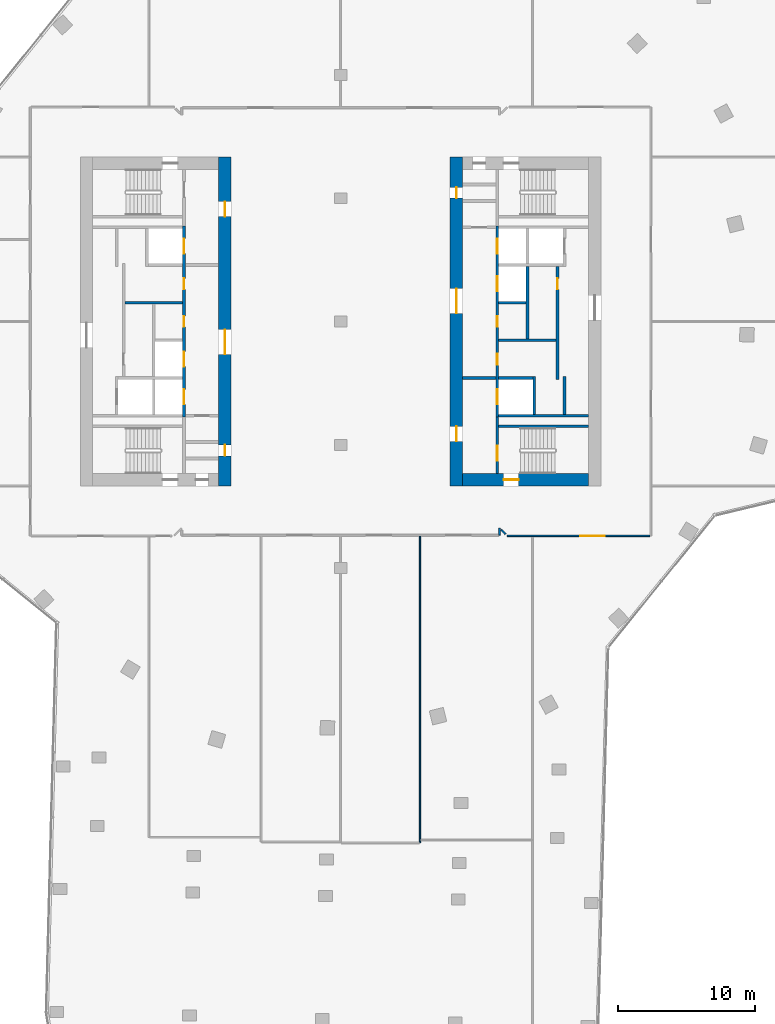
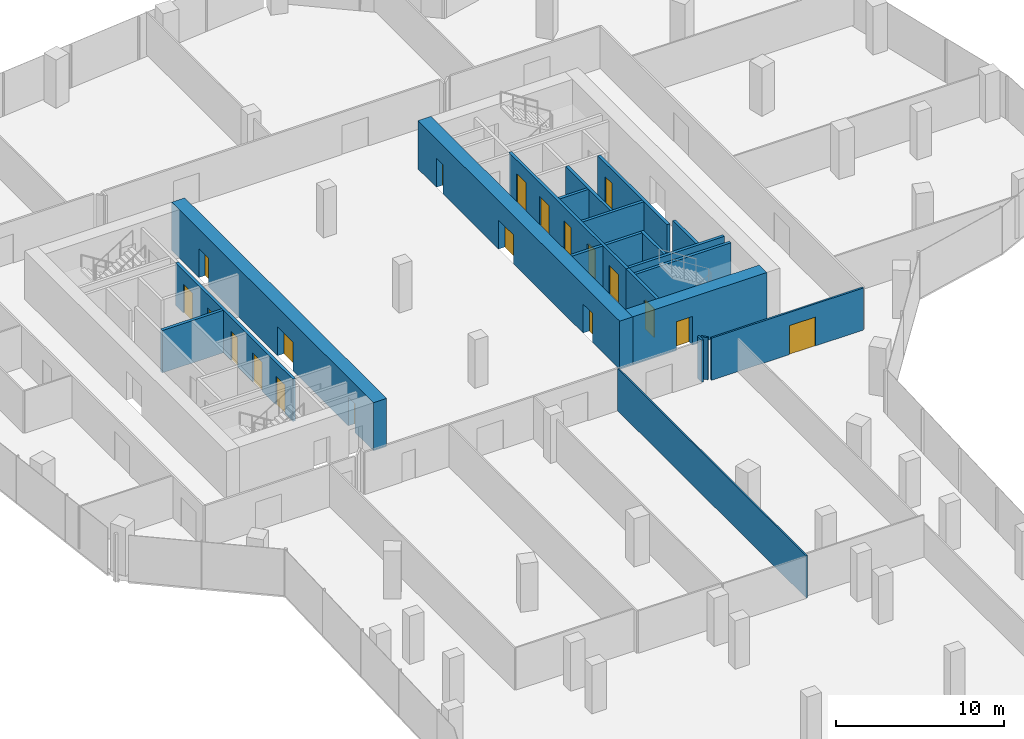
# One storey, part 21 of 26: 21 walls, 20 doors, 20 openings.
"""IFC4 building model written with IfcOpenShell, lengths in metres."""

from ifc_helpers import new_model, si_unit, direction, frame, frame_2d, origin, place, context, subcontext, project, spatial, rectangle, extrude, material, layer, layer_set, type_object, element, fill, save


model = new_model("IFC4")

# Units and contexts
model_context = context("Model", 3, precision=1e-05, world=origin(), true_north=direction((0.0, 1.0)))
body_context = subcontext(model_context, "Body", "Model", "MODEL_VIEW")
ifc_project = project(units=[si_unit("LENGTHUNIT", "METRE"), si_unit("AREAUNIT", "SQUARE_METRE"), si_unit("VOLUMEUNIT", "CUBIC_METRE"), si_unit("PLANEANGLEUNIT", "RADIAN"), si_unit("MASSUNIT", "GRAM", prefix="KILO")], contexts=[model_context])

# Site, building, storey
site_placement = place(None, origin())
site = spatial("IfcSite", under=ifc_project, at=site_placement, CompositionType="ELEMENT")
building_placement = place(site_placement, origin())
building = spatial("IfcBuilding", under=site, at=building_placement, Name="Orlundy Tower", CompositionType="ELEMENT")
storey_placement = place(building_placement, frame((0.0, 0.0, 214.0)))
storey = spatial("IfcBuildingStorey", under=building, at=storey_placement, Name="L56", CompositionType="ELEMENT", Elevation=214.0)

# Wall, openings, doors
ifc_material_1 = material(Name="Concrete C60/75", Category="concrete")
ifc_layer_1 = layer(ifc_material_1, 0.89990234375)
ifc_layer_set_1 = layer_set([ifc_layer_1], Name="CORE WALL 900 C60/75")
wall_type_1 = type_object("IfcWallType", Name="CORE WALL 900 C60/75", PredefinedType="SHEAR", material=ifc_layer_set_1)
wall_1_placement = place(storey_placement, frame((-8.449951171875, -12.0, 0.0), z_axis=(0.0, 0.0, 1.0), x_axis=(0.0, 1.0, 0.0)))
wall_1 = element("IfcWall", 1, at=wall_1_placement, inside=storey, type_object=wall_type_1, Name="Core wall W-E L56", PredefinedType="SHEAR", context=body_context, shape_type="SweptSolid", body=[
    extrude(rectangle(XDim=24.0, YDim=0.89990234375, at=frame_2d((12.0, 0.0))), origin(), (0.0, 0.0, 1.0), 3.5),
])
opening_1_placement = place(wall_1_placement, frame((9.60009765625, 0.0, 0.0)))
opening_1 = element("IfcOpeningElement", 2, at=opening_1_placement, cuts=wall_1, Name="Opening 43008", PredefinedType="OPENING", context=body_context, shape_type="SweptSolid", body=[
    extrude(rectangle(XDim=1.800048828125, YDim=2.10009765625, at=frame_2d((0.89990234375, 1.050048828125))), frame((0.0, 0.4599609375, 0.0), z_axis=(0.0, -1.0, 0.0), x_axis=(1.0, 0.0, 0.0)), (0.0, 0.0, 1.0), 0.919921875),
])
opening_2_placement = place(wall_1_placement, frame((19.64990234375, 0.0, 0.0)))
opening_2 = element("IfcOpeningElement", 3, at=opening_2_placement, cuts=wall_1, Name="Opening 43010", PredefinedType="OPENING", context=body_context, shape_type="SweptSolid", body=[
    extrude(rectangle(XDim=1.10009765625, YDim=2.10009765625, at=frame_2d((0.550048828125, 1.050048828125))), frame((0.0, 0.4599609375, 0.0), z_axis=(0.0, -1.0, 0.0), x_axis=(1.0, 0.0, 0.0)), (0.0, 0.0, 1.0), 0.919921875),
])
opening_3_placement = place(wall_1_placement, frame((2.199951171875, 0.0, 0.0)))
opening_3 = element("IfcOpeningElement", 4, at=opening_3_placement, cuts=wall_1, Name="Opening 43015", PredefinedType="OPENING", context=body_context, shape_type="SweptSolid", body=[
    extrude(rectangle(XDim=0.800048828125, YDim=2.10009765625, at=frame_2d((0.39990234375, 1.050048828125))), frame((0.0, 0.4599609375, 0.0), z_axis=(0.0, -1.0, 0.0), x_axis=(1.0, 0.0, 0.0)), (0.0, 0.0, 1.0), 0.919921875),
])
ifc_material_2 = material(Name="Steel door set", Category="steel")
door_type_1 = type_object("IfcDoorType", Name="Fire-fighting Lobby Door 1100x2100", OperationType="SINGLE_SWING_LEFT", PredefinedType="DOOR", material=ifc_material_2)
door_1_placement = place(opening_2_placement, origin())
door_1 = element("IfcDoor", 5, at=door_1_placement, inside=storey, type_object=door_type_1, Name="Fire-fighting lobby door 43010", OperationType="SINGLE_SWING_RIGHT", OverallHeight=2.10009765625, OverallWidth=1.10009765625, PredefinedType="DOOR", context=body_context, shape_type="SweptSolid", body=[
    extrude(rectangle(XDim=1.10009765625, YDim=2.10009765625, at=frame_2d((0.550048828125, 1.050048828125))), frame((0.0, 0.02490234375, 0.0), z_axis=(0.0, -1.0, 0.0), x_axis=(1.0, 0.0, 0.0)), (0.0, 0.0, 1.0), 0.050048828125),
])
fill(opening_2, door_1)
ifc_material_3 = material(Name="Timber door set", Category="wood")
door_type_2 = type_object("IfcDoorType", Name="Lobby Door 1800x2100", OperationType="DOUBLE_DOOR_DOUBLE_SWING", PredefinedType="DOOR", material=ifc_material_3)
door_2_placement = place(opening_1_placement, origin())
door_2 = element("IfcDoor", 6, at=door_2_placement, inside=storey, type_object=door_type_2, Name="Lift lobby door 43008", OperationType="SINGLE_SWING_LEFT", OverallHeight=2.10009765625, OverallWidth=1.800048828125, PredefinedType="DOOR", context=body_context, shape_type="SweptSolid", body=[
    extrude(rectangle(XDim=1.800048828125, YDim=2.10009765625, at=frame_2d((0.89990234375, 1.050048828125))), frame((0.0, 0.02490234375, 0.0), z_axis=(0.0, -1.0, 0.0), x_axis=(1.0, 0.0, 0.0)), (0.0, 0.0, 1.0), 0.050048828125),
])
fill(opening_1, door_2)
ifc_material_4 = material(Name="Timber door set", Category="wood")
door_type_3 = type_object("IfcDoorType", Name="Riser Door 800x2100", OperationType="SINGLE_SWING_LEFT", PredefinedType="DOOR", material=ifc_material_4)
door_3_placement = place(opening_3_placement, origin())
door_3 = element("IfcDoor", 7, at=door_3_placement, inside=storey, type_object=door_type_3, Name="Door 43015", OperationType="SINGLE_SWING_LEFT", OverallHeight=2.10009765625, OverallWidth=0.800048828125, PredefinedType="DOOR", context=body_context, shape_type="SweptSolid", body=[
    extrude(rectangle(XDim=0.800048828125, YDim=2.10009765625, at=frame_2d((0.39990234375, 1.050048828125))), frame((0.0, 0.02490234375, 0.0), z_axis=(0.0, -1.0, 0.0), x_axis=(1.0, 0.0, 0.0)), (0.0, 0.0, 1.0), 0.050048828125),
])
fill(opening_3, door_3)

# Wall, opening, door
wall_2_placement = place(storey_placement, frame((8.89990234375, -11.550048828125, 0.0), z_axis=(0.0, 0.0, 1.0), x_axis=(1.0, 0.0, 0.0)))
wall_2 = element("IfcWall", 8, at=wall_2_placement, inside=storey, type_object=wall_type_1, Name="Core wall E-S L56", PredefinedType="SHEAR", context=body_context, shape_type="SweptSolid", body=[
    extrude(rectangle(XDim=9.2001953125, YDim=0.89990234375, at=frame_2d((4.60009765625, 0.0))), origin(), (0.0, 0.0, 1.0), 3.5),
])
opening_4_placement = place(wall_2_placement, frame((3.0, 0.0, 0.0)))
opening_4 = element("IfcOpeningElement", 9, at=opening_4_placement, cuts=wall_2, Name="Opening 43060", PredefinedType="OPENING", context=body_context, shape_type="SweptSolid", body=[
    extrude(rectangle(XDim=1.10009765625, YDim=2.10009765625, at=frame_2d((0.550048828125, 1.050048828125))), frame((0.0, 0.4599609375, 0.0), z_axis=(0.0, -1.0, 0.0), x_axis=(1.0, 0.0, 0.0)), (0.0, 0.0, 1.0), 0.919921875),
])
ifc_material_5 = material(Name="Steel door set", Category="steel")
door_type_4 = type_object("IfcDoorType", Name="Stair Door 1100x2100", OperationType="SINGLE_SWING_LEFT", PredefinedType="DOOR", material=ifc_material_5)
door_4_placement = place(opening_4_placement, origin())
door_4 = element("IfcDoor", 10, at=door_4_placement, inside=storey, type_object=door_type_4, Name="Stair door 43060", OperationType="SINGLE_SWING_LEFT", OverallHeight=2.10009765625, OverallWidth=1.10009765625, PredefinedType="DOOR", context=body_context, shape_type="SweptSolid", body=[
    extrude(rectangle(XDim=1.10009765625, YDim=2.10009765625, at=frame_2d((0.550048828125, 1.050048828125))), frame((0.0, 0.02490234375, 0.0), z_axis=(0.0, -1.0, 0.0), x_axis=(1.0, 0.0, 0.0)), (0.0, 0.0, 1.0), 0.050048828125),
])
fill(opening_4, door_4)

# Wall, openings, doors
wall_3_placement = place(storey_placement, frame((8.449951171875, -12.0, 0.0), z_axis=(0.0, 0.0, 1.0), x_axis=(0.0, 1.0, 0.0)))
wall_3 = element("IfcWall", 11, at=wall_3_placement, inside=storey, type_object=wall_type_1, Name="Core wall E-W L56", PredefinedType="SHEAR", context=body_context, shape_type="SweptSolid", body=[
    extrude(rectangle(XDim=24.0, YDim=0.89990234375, at=frame_2d((12.0, 0.0))), origin(), (0.0, 0.0, 1.0), 3.5),
])
opening_5_placement = place(wall_3_placement, frame((12.60009765625, 0.0, 0.0)))
opening_5 = element("IfcOpeningElement", 12, at=opening_5_placement, cuts=wall_3, Name="Opening 43057", PredefinedType="OPENING", context=body_context, shape_type="SweptSolid", body=[
    extrude(rectangle(XDim=1.800048828125, YDim=2.10009765625, at=frame_2d((0.89990234375, 1.050048828125))), frame((0.0, 0.4599609375, 0.0), z_axis=(0.0, -1.0, 0.0), x_axis=(1.0, 0.0, 0.0)), (0.0, 0.0, 1.0), 0.919921875),
])
opening_6_placement = place(wall_3_placement, frame((3.25, 0.0, 0.0)))
opening_6 = element("IfcOpeningElement", 13, at=opening_6_placement, cuts=wall_3, Name="Opening 43059", PredefinedType="OPENING", context=body_context, shape_type="SweptSolid", body=[
    extrude(rectangle(XDim=1.10009765625, YDim=2.10009765625, at=frame_2d((0.550048828125, 1.050048828125))), frame((0.0, 0.4599609375, 0.0), z_axis=(0.0, -1.0, 0.0), x_axis=(1.0, 0.0, 0.0)), (0.0, 0.0, 1.0), 0.919921875),
])
opening_7_placement = place(wall_3_placement, frame((21.0, 0.0, 0.0)))
opening_7 = element("IfcOpeningElement", 14, at=opening_7_placement, cuts=wall_3, Name="Opening 43064", PredefinedType="OPENING", context=body_context, shape_type="SweptSolid", body=[
    extrude(rectangle(XDim=0.800048828125, YDim=2.10009765625, at=frame_2d((0.39990234375, 1.050048828125))), frame((0.0, 0.4599609375, 0.0), z_axis=(0.0, -1.0, 0.0), x_axis=(1.0, 0.0, 0.0)), (0.0, 0.0, 1.0), 0.919921875),
])
door_5_placement = place(opening_6_placement, origin())
door_5 = element("IfcDoor", 15, at=door_5_placement, inside=storey, type_object=door_type_1, Name="Fire-fighting lobby door 43059", OperationType="SINGLE_SWING_LEFT", OverallHeight=2.10009765625, OverallWidth=1.10009765625, PredefinedType="DOOR", context=body_context, shape_type="SweptSolid", body=[
    extrude(rectangle(XDim=1.10009765625, YDim=2.10009765625, at=frame_2d((0.550048828125, 1.050048828125))), frame((0.0, 0.02490234375, 0.0), z_axis=(0.0, -1.0, 0.0), x_axis=(1.0, 0.0, 0.0)), (0.0, 0.0, 1.0), 0.050048828125),
])
fill(opening_6, door_5)
door_6_placement = place(opening_5_placement, origin())
door_6 = element("IfcDoor", 16, at=door_6_placement, inside=storey, type_object=door_type_2, Name="Lift lobby door 43057", OperationType="SINGLE_SWING_RIGHT", OverallHeight=2.10009765625, OverallWidth=1.800048828125, PredefinedType="DOOR", context=body_context, shape_type="SweptSolid", body=[
    extrude(rectangle(XDim=1.800048828125, YDim=2.10009765625, at=frame_2d((0.89990234375, 1.050048828125))), frame((0.0, 0.02490234375, 0.0), z_axis=(0.0, -1.0, 0.0), x_axis=(1.0, 0.0, 0.0)), (0.0, 0.0, 1.0), 0.050048828125),
])
fill(opening_5, door_6)
door_7_placement = place(opening_7_placement, origin())
door_7 = element("IfcDoor", 17, at=door_7_placement, inside=storey, type_object=door_type_3, Name="Door 43064", OperationType="SINGLE_SWING_RIGHT", OverallHeight=2.10009765625, OverallWidth=0.800048828125, PredefinedType="DOOR", context=body_context, shape_type="SweptSolid", body=[
    extrude(rectangle(XDim=0.800048828125, YDim=2.10009765625, at=frame_2d((0.39990234375, 1.050048828125))), frame((0.0, 0.02490234375, 0.0), z_axis=(0.0, -1.0, 0.0), x_axis=(1.0, 0.0, 0.0)), (0.0, 0.0, 1.0), 0.050048828125),
])
fill(opening_7, door_7)

# Walls
ifc_material_6 = material(Name="Gypsum board partition")
ifc_layer_2 = layer(ifc_material_6, 0.10009765625)
ifc_layer_set_2 = layer_set([ifc_layer_2], Name="Floor partition 100")
wall_type_2 = type_object("IfcWallType", Name="Floor partition 100", PredefinedType="PARTITIONING", material=ifc_layer_set_2)
wall_4_placement = place(storey_placement, frame((5.800048828125, -38.06103515625, 0.0), z_axis=(0.0, 0.0, 1.0), x_axis=(0.0, 1.0, 0.0)))
element("IfcWall", 18, at=wall_4_placement, inside=storey, type_object=wall_type_2, Name="wall-int-L56-029", PredefinedType="PARTITIONING", context=body_context, shape_type="SweptSolid", body=[
    extrude(rectangle(XDim=22.39892578125, YDim=0.10009765625, at=frame_2d((11.199462890625, 0.0))), origin(), (0.0, 0.0, 1.0), 3.06005859375),
])
ifc_material_7 = material(Name="Gypsum board partition, double layer")
ifc_layer_3 = layer(ifc_material_7, 0.125)
ifc_layer_set_3 = layer_set([ifc_layer_3], Name="Floor partition 125")
wall_type_3 = type_object("IfcWallType", Name="Floor partition 125", PredefinedType="PARTITIONING", material=ifc_layer_set_3)
wall_5_placement = place(storey_placement, frame((11.72900390625, -15.20703125, 0.0), z_axis=(0.0, 0.0, 1.0), x_axis=(0.707106781187, -0.707106781187, 0.0)))
element("IfcWall", 19, at=wall_5_placement, inside=storey, type_object=wall_type_3, Name="wall-int-L56-002", PredefinedType="PARTITIONING", context=body_context, shape_type="SweptSolid", body=[
    extrude(rectangle(XDim=0.4482421875, YDim=0.125, at=frame_2d((0.22412109375, 0.0))), origin(), (0.0, 0.0, 1.0), 3.06005859375),
])

# Wall, opening, door
wall_6_placement = place(storey_placement, frame((22.5869140625, -15.65087890625, 0.0), z_axis=(0.0, 0.0, 1.0), x_axis=(-1.0, 0.0, 0.0)))
wall_6 = element("IfcWall", 20, at=wall_6_placement, inside=storey, type_object=wall_type_3, Name="wall-int-L56-009", PredefinedType="PARTITIONING", context=body_context, shape_type="SweptSolid", body=[
    extrude(rectangle(XDim=10.427001953125, YDim=0.125, at=frame_2d((5.21337890625, 0.0))), origin(), (0.0, 0.0, 1.0), 3.06005859375),
])
opening_8_placement = place(wall_6_placement, frame((3.28759765625, 0.0, 0.0)))
opening_8 = element("IfcOpeningElement", 21, at=opening_8_placement, cuts=wall_6, Name="Opening 43107", PredefinedType="OPENING", context=body_context, shape_type="SweptSolid", body=[
    extrude(rectangle(XDim=1.800048828125, YDim=2.10009765625, at=frame_2d((0.89990234375, 1.050048828125))), frame((0.0, 0.072509765625, 0.0), z_axis=(0.0, -1.0, 0.0), x_axis=(1.0, 0.0, 0.0)), (0.0, 0.0, 1.0), 0.14501953125),
])
ifc_material_8 = material(Name="Timber door leaf", Category="wood")
door_type_5 = type_object("IfcDoorType", Name="Floor door double 1800 FD30S", OperationType="NOTDEFINED", PredefinedType="DOOR", material=ifc_material_8)
door_8_placement = place(opening_8_placement, origin())
door_8 = element("IfcDoor", 22, at=door_8_placement, inside=storey, type_object=door_type_5, Name="Door 43107", OperationType="DOUBLE_DOOR_SINGLE_SWING", OverallHeight=2.10009765625, OverallWidth=1.800048828125, PredefinedType="DOOR", context=body_context, shape_type="SweptSolid", body=[
    extrude(rectangle(XDim=1.800048828125, YDim=2.10009765625, at=frame_2d((0.89990234375, 1.050048828125))), frame((0.0, 0.02490234375, 0.0), z_axis=(0.0, -1.0, 0.0), x_axis=(1.0, 0.0, 0.0)), (0.0, 0.0, 1.0), 0.050048828125),
])
fill(opening_8, door_8)

# Wall
wall_7_placement = place(storey_placement, frame((11.60107421875, -15.60009765625, 0.0), z_axis=(0.0, 0.0, 1.0), x_axis=(0.0, 1.0, 0.0)))
element("IfcWall", 23, at=wall_7_placement, inside=storey, type_object=wall_type_3, Name="wall-int-L56-027", PredefinedType="PARTITIONING", context=body_context, shape_type="SweptSolid", body=[
    extrude(rectangle(XDim=0.508056640625, YDim=0.125, at=frame_2d((0.25390625, 0.0))), origin(), (0.0, 0.0, 1.0), 3.06005859375),
])

# Wall, opening, door
ifc_material_9 = material(Name="Concrete C40/50", Category="concrete")
ifc_layer_4 = layer(ifc_material_9, 0.199951171875)
ifc_layer_set_4 = layer_set([ifc_layer_4], Name="Load-bearing Shaft Wall 200")
wall_type_4 = type_object("IfcWallType", Name="Load-bearing Shaft Wall 200", PredefinedType="SOLIDWALL", material=ifc_layer_set_4)
wall_8_placement = place(storey_placement, frame((11.43994140625, -6.97509765625, 0.0), z_axis=(0.0, 0.0, 1.0), x_axis=(0.0, -1.0, 0.0)))
wall_8 = element("IfcWall", 24, at=wall_8_placement, inside=storey, type_object=wall_type_4, Name="Shaft wall E43-stair-end-n", PredefinedType="SOLIDWALL", context=body_context, shape_type="SweptSolid", body=[
    extrude(rectangle(XDim=4.125, YDim=0.199951171875, at=frame_2d((2.0625, 0.0))), origin(), (0.0, 0.0, 1.0), 3.080078125),
])
opening_9_placement = place(wall_8_placement, frame((2.10009765625, 0.0, 0.0)))
opening_9 = element("IfcOpeningElement", 25, at=opening_9_placement, cuts=wall_8, Name="Opening 43062", PredefinedType="OPENING", context=body_context, shape_type="SweptSolid", body=[
    extrude(rectangle(XDim=1.10009765625, YDim=2.10009765625, at=frame_2d((0.550048828125, 1.050048828125))), frame((0.0, 0.110107421875, 0.0), z_axis=(0.0, -1.0, 0.0), x_axis=(1.0, 0.0, 0.0)), (0.0, 0.0, 1.0), 0.22021484375),
])
door_9_placement = place(opening_9_placement, origin())
door_9 = element("IfcDoor", 26, at=door_9_placement, inside=storey, type_object=door_type_1, Name="Fire-fighting lobby to stair door 43062", OperationType="SINGLE_SWING_RIGHT", OverallHeight=2.10009765625, OverallWidth=1.10009765625, PredefinedType="DOOR", context=body_context, shape_type="SweptSolid", body=[
    extrude(rectangle(XDim=1.10009765625, YDim=2.10009765625, at=frame_2d((0.550048828125, 1.050048828125))), frame((0.0, 0.02490234375, 0.0), z_axis=(0.0, -1.0, 0.0), x_axis=(1.0, 0.0, 0.0)), (0.0, 0.0, 1.0), 0.050048828125),
])
fill(opening_9, door_9)

# Walls
wall_9_placement = place(storey_placement, frame((11.5400390625, -7.64990234375, 0.0), z_axis=(0.0, 0.0, 1.0), x_axis=(1.0, 0.0, 0.0)))
element("IfcWall", 27, at=wall_9_placement, inside=storey, type_object=wall_type_4, Name="Shaft wall E43-stair-side-n", PredefinedType="SOLIDWALL", context=body_context, shape_type="SweptSolid", body=[
    extrude(rectangle(XDim=6.56005859375, YDim=0.199951171875, at=frame_2d((3.280029296875, 0.0))), origin(), (0.0, 0.0, 1.0), 3.080078125),
])
ifc_material_10 = material(Name="Gypsum board partition on steel studs", Category="steel")
ifc_layer_5 = layer(ifc_material_10, 0.199951171875)
ifc_layer_set_5 = layer_set([ifc_layer_5], Name="Partition 200")
wall_type_5 = type_object("IfcWallType", Name="Partition 200", PredefinedType="PARTITIONING", material=ifc_layer_set_5)
wall_10_placement = place(storey_placement, frame((8.89990234375, -4.125, 0.0), z_axis=(0.0, 0.0, 1.0), x_axis=(1.0, 0.0, 0.0)))
element("IfcWall", 28, at=wall_10_placement, inside=storey, type_object=wall_type_5, Name="Partition wall E43-lobby-n", PredefinedType="PARTITIONING", context=body_context, shape_type="SweptSolid", body=[
    extrude(rectangle(XDim=2.440185546875, YDim=0.199951171875, at=frame_2d((1.22021484375, 0.0))), origin(), (0.0, 0.0, 1.0), 3.080078125),
])
ifc_material_11 = material(Name="Fire-rated blockwork shaft wall", Category="masonry")
ifc_layer_6 = layer(ifc_material_11, 0.199951171875)
ifc_layer_set_6 = layer_set([ifc_layer_6], Name="Shaft Wall 200")
wall_type_6 = type_object("IfcWallType", Name="Shaft Wall 200", PredefinedType="SOLIDWALL", material=ifc_layer_set_6)
wall_11_placement = place(storey_placement, frame((-11.5400390625, 1.375, 0.0), z_axis=(0.0, 0.0, 1.0), x_axis=(-1.0, 0.0, 0.0)))
element("IfcWall", 29, at=wall_11_placement, inside=storey, type_object=wall_type_6, Name="Shaft wall W43-cross+1.375", PredefinedType="SOLIDWALL", context=body_context, shape_type="SweptSolid", body=[
    extrude(rectangle(XDim=4.199951171875, YDim=0.199951171875, at=frame_2d((2.10009765625, 0.0))), origin(), (0.0, 0.0, 1.0), 3.080078125),
])

# Wall, openings, doors
wall_12_placement = place(storey_placement, frame((-11.43994140625, -6.97509765625, 0.0), z_axis=(0.0, 0.0, 1.0), x_axis=(0.0, 1.0, 0.0)))
wall_12 = element("IfcWall", 30, at=wall_12_placement, inside=storey, type_object=wall_type_6, Name="Shaft wall W43-front-h", PredefinedType="SOLIDWALL", context=body_context, shape_type="SweptSolid", body=[
    extrude(rectangle(XDim=13.9501953125, YDim=0.199951171875, at=frame_2d((6.97509765625, 0.0))), origin(), (0.0, 0.0, 1.0), 3.080078125),
])
opening_10_placement = place(wall_12_placement, frame((0.925048828125, 0.0, 0.0)))
opening_10 = element("IfcOpeningElement", 31, at=opening_10_placement, cuts=wall_12, Name="Opening 43001", PredefinedType="OPENING", context=body_context, shape_type="SweptSolid", body=[
    extrude(rectangle(XDim=1.10009765625, YDim=2.10009765625, at=frame_2d((0.550048828125, 1.050048828125))), frame((0.0, 0.110107421875, 0.0), z_axis=(0.0, -1.0, 0.0), x_axis=(1.0, 0.0, 0.0)), (0.0, 0.0, 1.0), 0.22021484375),
])
opening_11_placement = place(wall_12_placement, frame((3.675048828125, 0.0, 0.0)))
opening_11 = element("IfcOpeningElement", 32, at=opening_11_placement, cuts=wall_12, Name="Opening 43003", PredefinedType="OPENING", context=body_context, shape_type="SweptSolid", body=[
    extrude(rectangle(XDim=1.10009765625, YDim=2.10009765625, at=frame_2d((0.550048828125, 1.050048828125))), frame((0.0, 0.110107421875, 0.0), z_axis=(0.0, -1.0, 0.0), x_axis=(1.0, 0.0, 0.0)), (0.0, 0.0, 1.0), 0.22021484375),
])
opening_12_placement = place(wall_12_placement, frame((11.925048828125, 0.0, 0.0)))
opening_12 = element("IfcOpeningElement", 33, at=opening_12_placement, cuts=wall_12, Name="Opening 43004", PredefinedType="OPENING", context=body_context, shape_type="SweptSolid", body=[
    extrude(rectangle(XDim=1.10009765625, YDim=2.10009765625, at=frame_2d((0.550048828125, 1.050048828125))), frame((0.0, 0.110107421875, 0.0), z_axis=(0.0, -1.0, 0.0), x_axis=(1.0, 0.0, 0.0)), (0.0, 0.0, 1.0), 0.22021484375),
])
opening_13_placement = place(wall_12_placement, frame((6.574951171875, 0.0, 0.0)))
opening_13 = element("IfcOpeningElement", 34, at=opening_13_placement, cuts=wall_12, Name="Opening 43006", PredefinedType="OPENING", context=body_context, shape_type="SweptSolid", body=[
    extrude(rectangle(XDim=0.800048828125, YDim=2.10009765625, at=frame_2d((0.39990234375, 1.050048828125))), frame((0.0, 0.110107421875, 0.0), z_axis=(0.0, -1.0, 0.0), x_axis=(1.0, 0.0, 0.0)), (0.0, 0.0, 1.0), 0.22021484375),
])
opening_14_placement = place(wall_12_placement, frame((9.324951171875, 0.0, 0.0)))
opening_14 = element("IfcOpeningElement", 35, at=opening_14_placement, cuts=wall_12, Name="Opening 43007", PredefinedType="OPENING", context=body_context, shape_type="SweptSolid", body=[
    extrude(rectangle(XDim=0.800048828125, YDim=2.10009765625, at=frame_2d((0.39990234375, 1.050048828125))), frame((0.0, 0.110107421875, 0.0), z_axis=(0.0, -1.0, 0.0), x_axis=(1.0, 0.0, 0.0)), (0.0, 0.0, 1.0), 0.22021484375),
])
ifc_material_12 = material(Name="Steel door set", Category="steel")
door_type_6 = type_object("IfcDoorType", Name="Landing Door 1100x2100", OperationType="DOUBLE_DOOR_SLIDING", PredefinedType="DOOR", material=ifc_material_12)
door_10_placement = place(opening_10_placement, origin())
door_10 = element("IfcDoor", 36, at=door_10_placement, inside=storey, type_object=door_type_6, Name="Lift landing door LP-22 43001", OperationType="DOUBLE_DOOR_SLIDING", OverallHeight=2.10009765625, OverallWidth=1.10009765625, PredefinedType="DOOR", context=body_context, shape_type="SweptSolid", body=[
    extrude(rectangle(XDim=1.10009765625, YDim=2.10009765625, at=frame_2d((0.550048828125, 1.050048828125))), frame((0.0, 0.02490234375, 0.0), z_axis=(0.0, -1.0, 0.0), x_axis=(1.0, 0.0, 0.0)), (0.0, 0.0, 1.0), 0.050048828125),
])
fill(opening_10, door_10)
door_11_placement = place(opening_11_placement, origin())
door_11 = element("IfcDoor", 37, at=door_11_placement, inside=storey, type_object=door_type_6, Name="Lift landing door LP-21 43003", OperationType="DOUBLE_DOOR_SLIDING", OverallHeight=2.10009765625, OverallWidth=1.10009765625, PredefinedType="DOOR", context=body_context, shape_type="SweptSolid", body=[
    extrude(rectangle(XDim=1.10009765625, YDim=2.10009765625, at=frame_2d((0.550048828125, 1.050048828125))), frame((0.0, 0.02490234375, 0.0), z_axis=(0.0, -1.0, 0.0), x_axis=(1.0, 0.0, 0.0)), (0.0, 0.0, 1.0), 0.050048828125),
])
fill(opening_11, door_11)
door_12_placement = place(opening_12_placement, origin())
door_12 = element("IfcDoor", 38, at=door_12_placement, inside=storey, type_object=door_type_6, Name="Lift landing door FL1 43004", OperationType="DOUBLE_DOOR_SLIDING", OverallHeight=2.10009765625, OverallWidth=1.10009765625, PredefinedType="DOOR", context=body_context, shape_type="SweptSolid", body=[
    extrude(rectangle(XDim=1.10009765625, YDim=2.10009765625, at=frame_2d((0.550048828125, 1.050048828125))), frame((0.0, 0.02490234375, 0.0), z_axis=(0.0, -1.0, 0.0), x_axis=(1.0, 0.0, 0.0)), (0.0, 0.0, 1.0), 0.050048828125),
])
fill(opening_12, door_12)
door_13_placement = place(opening_13_placement, origin())
door_13 = element("IfcDoor", 39, at=door_13_placement, inside=storey, type_object=door_type_3, Name="Coat Store door 43006", OperationType="SINGLE_SWING_LEFT", OverallHeight=2.10009765625, OverallWidth=0.800048828125, PredefinedType="DOOR", context=body_context, shape_type="SweptSolid", body=[
    extrude(rectangle(XDim=0.800048828125, YDim=2.10009765625, at=frame_2d((0.39990234375, 1.050048828125))), frame((0.0, 0.02490234375, 0.0), z_axis=(0.0, -1.0, 0.0), x_axis=(1.0, 0.0, 0.0)), (0.0, 0.0, 1.0), 0.050048828125),
])
fill(opening_13, door_13)
door_14_placement = place(opening_14_placement, origin())
door_14 = element("IfcDoor", 40, at=door_14_placement, inside=storey, type_object=door_type_3, Name="Parcel Store door 43007", OperationType="SINGLE_SWING_LEFT", OverallHeight=2.10009765625, OverallWidth=0.800048828125, PredefinedType="DOOR", context=body_context, shape_type="SweptSolid", body=[
    extrude(rectangle(XDim=0.800048828125, YDim=2.10009765625, at=frame_2d((0.39990234375, 1.050048828125))), frame((0.0, 0.02490234375, 0.0), z_axis=(0.0, -1.0, 0.0), x_axis=(1.0, 0.0, 0.0)), (0.0, 0.0, 1.0), 0.050048828125),
])
fill(opening_14, door_14)

# Walls
wall_13_placement = place(storey_placement, frame((11.5400390625, -6.875, 0.0), z_axis=(0.0, 0.0, 1.0), x_axis=(1.0, 0.0, 0.0)))
element("IfcWall", 41, at=wall_13_placement, inside=storey, type_object=wall_type_6, Name="Shaft wall E43-zone-n", PredefinedType="SOLIDWALL", context=body_context, shape_type="SweptSolid", body=[
    extrude(rectangle(XDim=6.56005859375, YDim=0.199951171875, at=frame_2d((3.280029296875, 0.0))), origin(), (0.0, 0.0, 1.0), 3.080078125),
])
wall_14_placement = place(storey_placement, frame((11.5400390625, 1.375, 0.0), z_axis=(0.0, 0.0, 1.0), x_axis=(1.0, 0.0, 0.0)))
element("IfcWall", 42, at=wall_14_placement, inside=storey, type_object=wall_type_6, Name="Shaft wall E43-cross-1.375", PredefinedType="SOLIDWALL", context=body_context, shape_type="SweptSolid", body=[
    extrude(rectangle(XDim=2.0, YDim=0.199951171875, at=frame_2d((1.0, 0.0))), origin(), (0.0, 0.0, 1.0), 3.080078125),
])
wall_15_placement = place(storey_placement, frame((11.5400390625, -1.375, 0.0), z_axis=(0.0, 0.0, 1.0), x_axis=(1.0, 0.0, 0.0)))
element("IfcWall", 43, at=wall_15_placement, inside=storey, type_object=wall_type_6, Name="Shaft wall E43-cross+1.375", PredefinedType="SOLIDWALL", context=body_context, shape_type="SweptSolid", body=[
    extrude(rectangle(XDim=4.199951171875, YDim=0.199951171875, at=frame_2d((2.10009765625, 0.0))), origin(), (0.0, 0.0, 1.0), 3.080078125),
])
wall_16_placement = place(storey_placement, frame((11.5400390625, -4.125, 0.0), z_axis=(0.0, 0.0, 1.0), x_axis=(1.0, 0.0, 0.0)))
element("IfcWall", 44, at=wall_16_placement, inside=storey, type_object=wall_type_6, Name="Shaft wall E43-cross+4.125", PredefinedType="SOLIDWALL", context=body_context, shape_type="SweptSolid", body=[
    extrude(rectangle(XDim=2.5, YDim=0.199951171875, at=frame_2d((1.25, 0.0))), origin(), (0.0, 0.0, 1.0), 3.080078125),
])

# Wall, openings, doors
wall_17_placement = place(storey_placement, frame((11.43994140625, 6.97509765625, 0.0), z_axis=(0.0, 0.0, 1.0), x_axis=(0.0, -1.0, 0.0)))
wall_17 = element("IfcWall", 45, at=wall_17_placement, inside=storey, type_object=wall_type_6, Name="Shaft wall E43-front-h", PredefinedType="SOLIDWALL", context=body_context, shape_type="SweptSolid", body=[
    extrude(rectangle(XDim=13.9501953125, YDim=0.199951171875, at=frame_2d((6.97509765625, 0.0))), origin(), (0.0, 0.0, 1.0), 3.080078125),
])
opening_15_placement = place(wall_17_placement, frame((0.925048828125, 0.0, 0.0)))
opening_15 = element("IfcOpeningElement", 46, at=opening_15_placement, cuts=wall_17, Name="Opening 43050", PredefinedType="OPENING", context=body_context, shape_type="SweptSolid", body=[
    extrude(rectangle(XDim=1.10009765625, YDim=2.10009765625, at=frame_2d((0.550048828125, 1.050048828125))), frame((0.0, 0.110107421875, 0.0), z_axis=(0.0, -1.0, 0.0), x_axis=(1.0, 0.0, 0.0)), (0.0, 0.0, 1.0), 0.22021484375),
])
opening_16_placement = place(wall_17_placement, frame((3.675048828125, 0.0, 0.0)))
opening_16 = element("IfcOpeningElement", 47, at=opening_16_placement, cuts=wall_17, Name="Opening 43052", PredefinedType="OPENING", context=body_context, shape_type="SweptSolid", body=[
    extrude(rectangle(XDim=1.10009765625, YDim=2.10009765625, at=frame_2d((0.550048828125, 1.050048828125))), frame((0.0, 0.110107421875, 0.0), z_axis=(0.0, -1.0, 0.0), x_axis=(1.0, 0.0, 0.0)), (0.0, 0.0, 1.0), 0.22021484375),
])
opening_17_placement = place(wall_17_placement, frame((11.925048828125, 0.0, 0.0)))
opening_17 = element("IfcOpeningElement", 48, at=opening_17_placement, cuts=wall_17, Name="Opening 43053", PredefinedType="OPENING", context=body_context, shape_type="SweptSolid", body=[
    extrude(rectangle(XDim=1.10009765625, YDim=2.10009765625, at=frame_2d((0.550048828125, 1.050048828125))), frame((0.0, 0.110107421875, 0.0), z_axis=(0.0, -1.0, 0.0), x_axis=(1.0, 0.0, 0.0)), (0.0, 0.0, 1.0), 0.22021484375),
])
opening_18_placement = place(wall_17_placement, frame((6.574951171875, 0.0, 0.0)))
opening_18 = element("IfcOpeningElement", 49, at=opening_18_placement, cuts=wall_17, Name="Opening 43055", PredefinedType="OPENING", context=body_context, shape_type="SweptSolid", body=[
    extrude(rectangle(XDim=0.800048828125, YDim=2.10009765625, at=frame_2d((0.39990234375, 1.050048828125))), frame((0.0, 0.110107421875, 0.0), z_axis=(0.0, -1.0, 0.0), x_axis=(1.0, 0.0, 0.0)), (0.0, 0.0, 1.0), 0.22021484375),
])
opening_19_placement = place(wall_17_placement, frame((9.324951171875, 0.0, 0.0)))
opening_19 = element("IfcOpeningElement", 50, at=opening_19_placement, cuts=wall_17, Name="Opening 43056", PredefinedType="OPENING", context=body_context, shape_type="SweptSolid", body=[
    extrude(rectangle(XDim=0.800048828125, YDim=2.10009765625, at=frame_2d((0.39990234375, 1.050048828125))), frame((0.0, 0.110107421875, 0.0), z_axis=(0.0, -1.0, 0.0), x_axis=(1.0, 0.0, 0.0)), (0.0, 0.0, 1.0), 0.22021484375),
])
door_15_placement = place(opening_15_placement, origin())
door_15 = element("IfcDoor", 51, at=door_15_placement, inside=storey, type_object=door_type_6, Name="Lift landing door LP-24 43050", OperationType="DOUBLE_DOOR_SLIDING", OverallHeight=2.10009765625, OverallWidth=1.10009765625, PredefinedType="DOOR", context=body_context, shape_type="SweptSolid", body=[
    extrude(rectangle(XDim=1.10009765625, YDim=2.10009765625, at=frame_2d((0.550048828125, 1.050048828125))), frame((0.0, 0.02490234375, 0.0), z_axis=(0.0, -1.0, 0.0), x_axis=(1.0, 0.0, 0.0)), (0.0, 0.0, 1.0), 0.050048828125),
])
fill(opening_15, door_15)
door_16_placement = place(opening_16_placement, origin())
door_16 = element("IfcDoor", 52, at=door_16_placement, inside=storey, type_object=door_type_6, Name="Lift landing door LP-23 43052", OperationType="DOUBLE_DOOR_SLIDING", OverallHeight=2.10009765625, OverallWidth=1.10009765625, PredefinedType="DOOR", context=body_context, shape_type="SweptSolid", body=[
    extrude(rectangle(XDim=1.10009765625, YDim=2.10009765625, at=frame_2d((0.550048828125, 1.050048828125))), frame((0.0, 0.02490234375, 0.0), z_axis=(0.0, -1.0, 0.0), x_axis=(1.0, 0.0, 0.0)), (0.0, 0.0, 1.0), 0.050048828125),
])
fill(opening_16, door_16)
door_17_placement = place(opening_17_placement, origin())
door_17 = element("IfcDoor", 53, at=door_17_placement, inside=storey, type_object=door_type_6, Name="Lift landing door FL2 43053", OperationType="DOUBLE_DOOR_SLIDING", OverallHeight=2.10009765625, OverallWidth=1.10009765625, PredefinedType="DOOR", context=body_context, shape_type="SweptSolid", body=[
    extrude(rectangle(XDim=1.10009765625, YDim=2.10009765625, at=frame_2d((0.550048828125, 1.050048828125))), frame((0.0, 0.02490234375, 0.0), z_axis=(0.0, -1.0, 0.0), x_axis=(1.0, 0.0, 0.0)), (0.0, 0.0, 1.0), 0.050048828125),
])
fill(opening_17, door_17)
door_18_placement = place(opening_18_placement, origin())
door_18 = element("IfcDoor", 54, at=door_18_placement, inside=storey, type_object=door_type_3, Name="Coat Store door 43055", OperationType="SINGLE_SWING_LEFT", OverallHeight=2.10009765625, OverallWidth=0.800048828125, PredefinedType="DOOR", context=body_context, shape_type="SweptSolid", body=[
    extrude(rectangle(XDim=0.800048828125, YDim=2.10009765625, at=frame_2d((0.39990234375, 1.050048828125))), frame((0.0, 0.02490234375, 0.0), z_axis=(0.0, -1.0, 0.0), x_axis=(1.0, 0.0, 0.0)), (0.0, 0.0, 1.0), 0.050048828125),
])
fill(opening_18, door_18)
door_19_placement = place(opening_19_placement, origin())
door_19 = element("IfcDoor", 55, at=door_19_placement, inside=storey, type_object=door_type_3, Name="Parcel Store door 43056", OperationType="SINGLE_SWING_LEFT", OverallHeight=2.10009765625, OverallWidth=0.800048828125, PredefinedType="DOOR", context=body_context, shape_type="SweptSolid", body=[
    extrude(rectangle(XDim=0.800048828125, YDim=2.10009765625, at=frame_2d((0.39990234375, 1.050048828125))), frame((0.0, 0.02490234375, 0.0), z_axis=(0.0, -1.0, 0.0), x_axis=(1.0, 0.0, 0.0)), (0.0, 0.0, 1.0), 0.050048828125),
])
fill(opening_19, door_19)

# Walls
wall_18_placement = place(storey_placement, frame((13.639892578125, 4.02490234375, 0.0), z_axis=(0.0, 0.0, 1.0), x_axis=(0.0, -1.0, 0.0)))
element("IfcWall", 56, at=wall_18_placement, inside=storey, type_object=wall_type_6, Name="Shaft wall E43-mid-a.1", PredefinedType="SOLIDWALL", context=body_context, shape_type="SweptSolid", body=[
    extrude(rectangle(XDim=5.2998046875, YDim=0.199951171875, at=frame_2d((2.64990234375, 0.0))), origin(), (0.0, 0.0, 1.0), 3.080078125),
])
wall_19_placement = place(storey_placement, frame((14.139892578125, -4.02490234375, 0.0), z_axis=(0.0, 0.0, 1.0), x_axis=(0.0, -1.0, 0.0)))
element("IfcWall", 57, at=wall_19_placement, inside=storey, type_object=wall_type_6, Name="Shaft wall E43-mid-b", PredefinedType="SOLIDWALL", context=body_context, shape_type="SweptSolid", body=[
    extrude(rectangle(XDim=2.75, YDim=0.199951171875, at=frame_2d((1.375, 0.0))), origin(), (0.0, 0.0, 1.0), 3.080078125),
])

# Wall, opening, door
wall_20_placement = place(storey_placement, frame((15.840087890625, 4.02490234375, 0.0), z_axis=(0.0, 0.0, 1.0), x_axis=(0.0, -1.0, 0.0)))
wall_20 = element("IfcWall", 58, at=wall_20_placement, inside=storey, type_object=wall_type_6, Name="Shaft wall E43-front-o-b", PredefinedType="SOLIDWALL", context=body_context, shape_type="SweptSolid", body=[
    extrude(rectangle(XDim=8.25, YDim=0.199951171875, at=frame_2d((4.125, 0.0))), origin(), (0.0, 0.0, 1.0), 3.080078125),
])
opening_20_placement = place(wall_20_placement, frame((0.875, 0.0, 0.0)))
opening_20 = element("IfcOpeningElement", 59, at=opening_20_placement, cuts=wall_20, Name="Opening 43054", PredefinedType="OPENING", context=body_context, shape_type="SweptSolid", body=[
    extrude(rectangle(XDim=0.800048828125, YDim=2.10009765625, at=frame_2d((0.39990234375, 1.050048828125))), frame((0.0, 0.110107421875, 0.0), z_axis=(0.0, -1.0, 0.0), x_axis=(1.0, 0.0, 0.0)), (0.0, 0.0, 1.0), 0.22021484375),
])
door_20_placement = place(opening_20_placement, origin())
door_20 = element("IfcDoor", 60, at=door_20_placement, inside=storey, type_object=door_type_3, Name="Printer Paper Store door 43054", OperationType="SINGLE_SWING_LEFT", OverallHeight=2.10009765625, OverallWidth=0.800048828125, PredefinedType="DOOR", context=body_context, shape_type="SweptSolid", body=[
    extrude(rectangle(XDim=0.800048828125, YDim=2.10009765625, at=frame_2d((0.39990234375, 1.050048828125))), frame((0.0, 0.02490234375, 0.0), z_axis=(0.0, -1.0, 0.0), x_axis=(1.0, 0.0, 0.0)), (0.0, 0.0, 1.0), 0.050048828125),
])
fill(opening_20, door_20)

# Wall
wall_21_placement = place(storey_placement, frame((16.340087890625, -4.02490234375, 0.0), z_axis=(0.0, 0.0, 1.0), x_axis=(0.0, -1.0, 0.0)))
element("IfcWall", 61, at=wall_21_placement, inside=storey, type_object=wall_type_6, Name="Shaft wall E43-front-o-c", PredefinedType="SOLIDWALL", context=body_context, shape_type="SweptSolid", body=[
    extrude(rectangle(XDim=2.75, YDim=0.199951171875, at=frame_2d((1.375, 0.0))), origin(), (0.0, 0.0, 1.0), 3.080078125),
])

save(model, "model.ifc")
